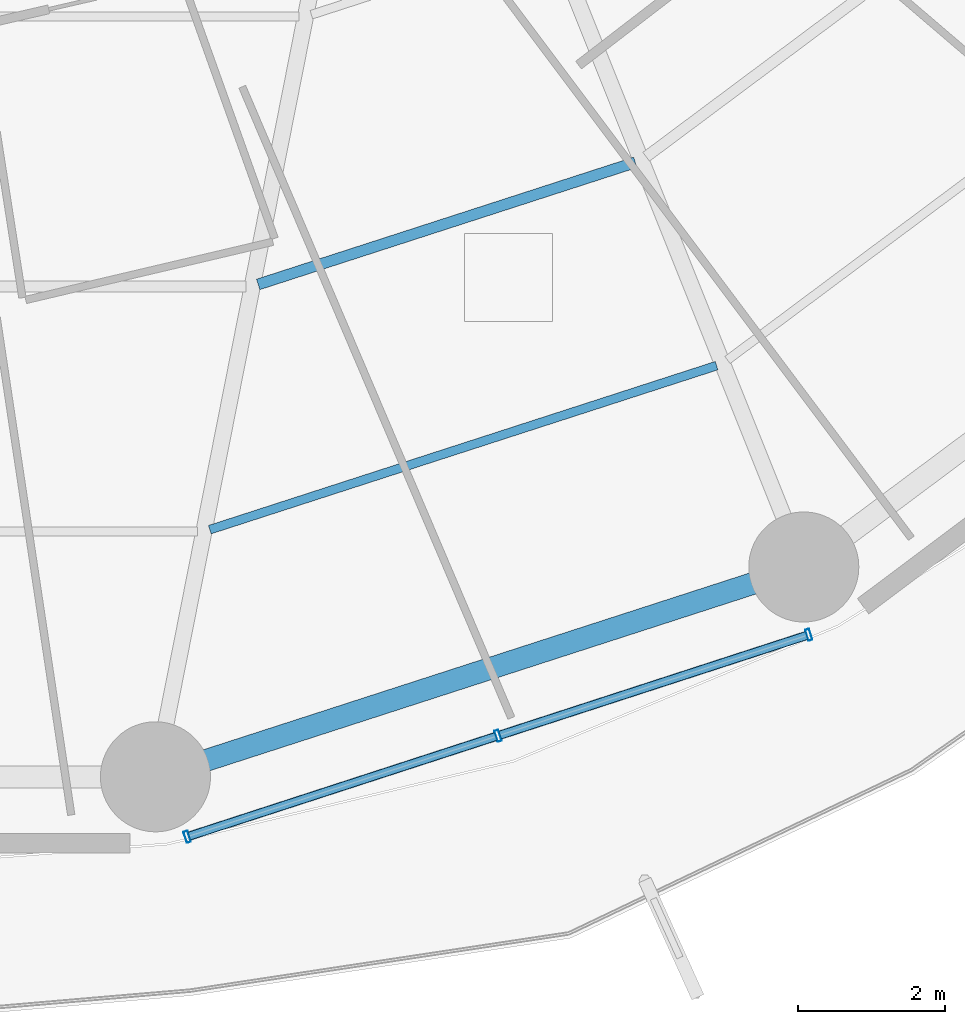
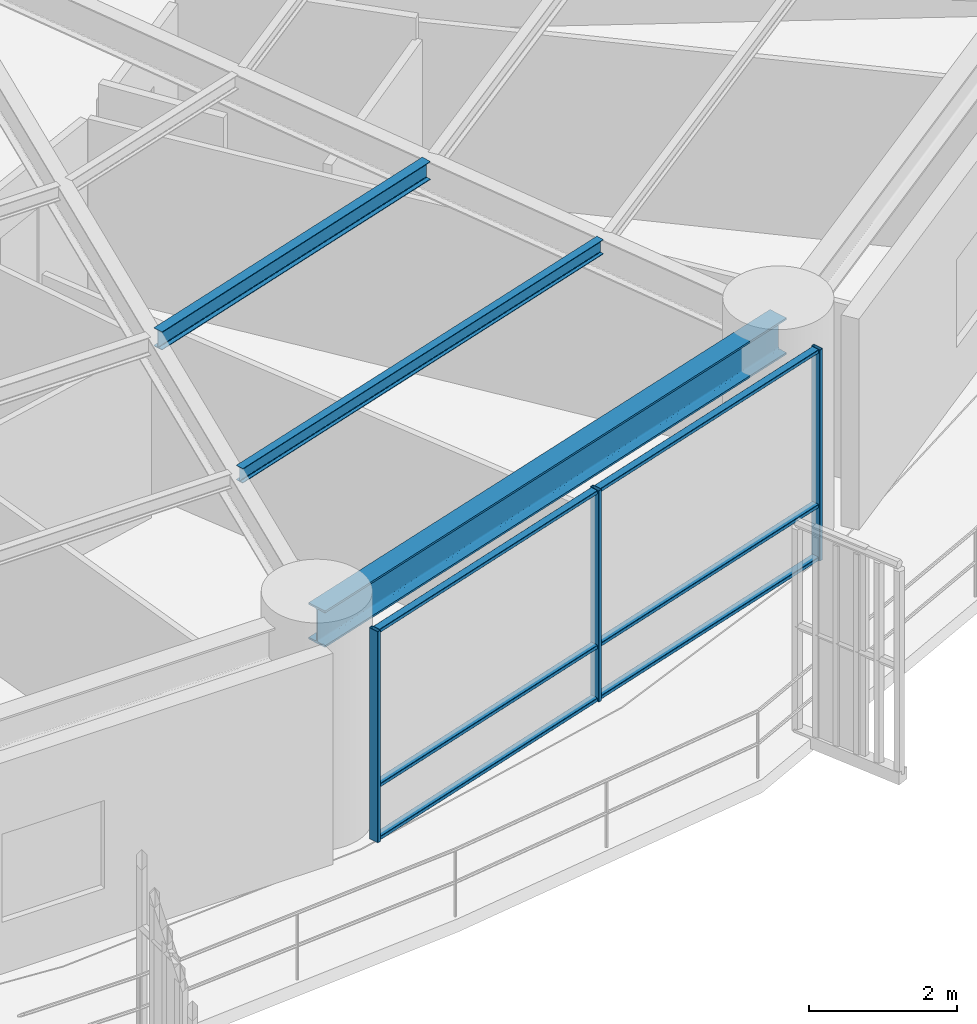
# One storey, part 8 of 32: 9 members, 3 beams, 1 element without a shape of its own.
"""IFC4 building model written with IfcOpenShell, lengths in metres."""

import ifcopenshell
import ifcopenshell.guid

model = None  # the IFC model being written
_history = None  # IfcOwnerHistory: only IFC2X3 demands one
_inside = {}  # id of a spatial element -> (the spatial element, [elements in it])
_under = {}  # id of a project, library or spatial element -> (it, [spatial elements below it])
_declared = {}  # id of a project -> (the project, [libraries it declares])
_typed = {}  # id of a type object -> (the type object, [elements of that type])
_made_of = {}  # id of a material, layer set ... -> (it, [elements and type objects made of it])


def new_model(schema):
    """Start an empty IFC model of exactly this schema.

    Asked for "IFC4X3", IfcOpenShell would pick the latest addendum, in which some entities
    have other attributes; the version numbers below select the first issue.
    IFC2X3 requires an IfcOwnerHistory on every rooted entity: one is made here for all.
    """
    global model, _history
    if schema == "IFC4X3":
        model = ifcopenshell.file(schema_version=(4, 3, 0, 0))
    else:
        model = ifcopenshell.file(schema=schema)
    _inside.clear()
    _under.clear()
    _declared.clear()
    _typed.clear()
    _made_of.clear()
    _history = None
    if model.schema == "IFC2X3":
        org = make("IfcOrganization", Name="unknown")
        user = make(
            "IfcPersonAndOrganization",
            ThePerson=make("IfcPerson", FamilyName="unknown"),
            TheOrganization=org,
        )
        app = make(
            "IfcApplication",
            ApplicationDeveloper=org,
            Version="unknown",
            ApplicationFullName="unknown",
            ApplicationIdentifier="unknown",
        )
        _history = make(
            "IfcOwnerHistory",
            OwningUser=user,
            OwningApplication=app,
            ChangeAction="ADDED",
            CreationDate=0,
        )
    return model


def make(cls, **values):
    """One entity of the class cls with the attributes given. An attribute that is None is left unset."""
    return model.create_entity(
        cls, **{name: value for name, value in values.items() if value is not None}
    )


def rooted(cls, **values):
    """An entity with a GlobalId (a new one), such as an element, a storey or a relation."""
    return make(cls, GlobalId=ifcopenshell.guid.new(), OwnerHistory=_history, **values)


def si_unit(unit_type, name, prefix=None):
    """IfcSIUnit, for example si_unit("LENGTHUNIT", "METRE", prefix="MILLI")."""
    return make("IfcSIUnit", UnitType=unit_type, Prefix=prefix, Name=name)


def assignment(units):
    """IfcUnitAssignment: the units of a project."""
    return None if units is None else make("IfcUnitAssignment", Units=units)


def point(xyz):
    """IfcCartesianPoint."""
    return None if xyz is None else make("IfcCartesianPoint", Coordinates=xyz)


def direction(xyz):
    """IfcDirection."""
    return None if xyz is None else make("IfcDirection", DirectionRatios=xyz)


def frame(location, z_axis=None, x_axis=None):
    """IfcAxis2Placement3D, a coordinate frame: its origin and axes. An axis left out is left unset."""
    return make(
        "IfcAxis2Placement3D",
        Location=point(location),
        Axis=direction(z_axis),
        RefDirection=direction(x_axis),
    )


def frame_2d(location, x_axis=None):
    """IfcAxis2Placement2D, a coordinate frame in the plane: its origin and x axis."""
    return make(
        "IfcAxis2Placement2D", Location=point(location), RefDirection=direction(x_axis)
    )


def origin():
    """The frame at (0, 0, 0) with its axes left unset."""
    return frame((0.0, 0.0, 0.0))


def origin_2d():
    """The frame at (0, 0) in the plane with its x axis left unset."""
    return frame_2d((0.0, 0.0))


def place(relative_to, where):
    """IfcLocalPlacement: puts the frame where relative to a parent placement (None: the world)."""
    return make(
        "IfcLocalPlacement", PlacementRelTo=relative_to, RelativePlacement=where
    )


def context(
    kind, dimensions, precision=None, world=None, true_north=None, identifier=None
):
    """IfcGeometricRepresentationContext, for example the 3D "Model" context."""
    return make(
        "IfcGeometricRepresentationContext",
        ContextIdentifier=identifier,
        ContextType=kind,
        CoordinateSpaceDimension=dimensions,
        Precision=precision,
        WorldCoordinateSystem=world,
        TrueNorth=true_north,
    )


def subcontext(parent, identifier, kind, view, scale=None):
    """IfcGeometricRepresentationSubContext, for example "Body" below "Model"."""
    return make(
        "IfcGeometricRepresentationSubContext",
        ContextIdentifier=identifier,
        ContextType=kind,
        ParentContext=parent,
        TargetScale=scale,
        TargetView=view,
    )


def project(units=None, contexts=None):
    """IfcProject with its units and contexts."""
    return rooted(
        "IfcProject",
        Name="project",
        RepresentationContexts=contexts,
        UnitsInContext=assignment(units),
    )


def spatial(cls, under=None, at=None, **own):
    """A site, building, storey or space (cls), placed at a placement, below another one or the project."""
    s = rooted(cls, ObjectPlacement=at, **own)
    if under is not None:
        _under.setdefault(under.id(), (under, []))[1].append(s)
    return s


def profile(cls, at=None, kind="AREA", **sizes):
    """A parametric profile (cls). Its sizes go by their IFC names, for example OverallWidth=200.0."""
    return make(cls, ProfileType=kind, Position=at, **sizes)


def hollow_rectangle(**sizes):
    """IfcRectangleHollowProfileDef."""
    return profile("IfcRectangleHollowProfileDef", **sizes)


def i_section(**sizes):
    """IfcIShapeProfileDef."""
    return profile("IfcIShapeProfileDef", **sizes)


def extrude(swept, where, along, depth):
    """IfcExtrudedAreaSolid: the profile swept, set in the frame where, extruded along a direction by depth."""
    return make(
        "IfcExtrudedAreaSolid",
        SweptArea=swept,
        Position=where,
        ExtrudedDirection=direction(along),
        Depth=depth,
    )


def shape(context_of_items, identifier, shape_type, items):
    """IfcShapeRepresentation: the items that make up one representation, for example the "Body"."""
    return make(
        "IfcShapeRepresentation",
        ContextOfItems=context_of_items,
        RepresentationIdentifier=identifier,
        RepresentationType=shape_type,
        Items=items,
    )


def material(Name=None, Category=None):
    """IfcMaterial."""
    return make("IfcMaterial", Name=Name, Category=Category)


def layer(
    of_material, thickness, ventilated=None, Name=None, Category=None, Priority=None
):
    """IfcMaterialLayer: one layer of a wall or slab, of a material (None: an air gap)."""
    return make(
        "IfcMaterialLayer",
        Material=of_material,
        LayerThickness=thickness,
        IsVentilated=ventilated,
        Name=Name,
        Category=Category,
        Priority=Priority,
    )


def layer_set(layers, Name=None):
    """IfcMaterialLayerSet."""
    return make("IfcMaterialLayerSet", MaterialLayers=layers, LayerSetName=Name)


def material_profile(
    of_material, cross_section, Name=None, Category=None, Priority=None
):
    """IfcMaterialProfile: a cross section and its material."""
    return make(
        "IfcMaterialProfile",
        Name=Name,
        Material=of_material,
        Profile=cross_section,
        Priority=Priority,
        Category=Category,
    )


def profile_set(profiles, Name=None, composite=None):
    """IfcMaterialProfileSet."""
    return make(
        "IfcMaterialProfileSet",
        Name=Name,
        MaterialProfiles=profiles,
        CompositeProfile=composite,
    )


def made_of(thing, what):
    """Note that an element or type object is made of a material, layer set ...; save() writes the relation."""
    if what is not None:
        _made_of.setdefault(what.id(), (what, []))[1].append(thing)
    return thing


def type_object(cls, material=None, **own):
    """A type object (cls), such as IfcWallType, which elements share."""
    return made_of(rooted(cls, **own), material)


def element(
    cls,
    number,
    at=None,
    inside=None,
    cuts=None,
    type_object=None,
    material=None,
    context=None,
    identifier="Body",
    shape_type=None,
    held_by="IfcProductDefinitionShape",
    body=None,
    shapes=None,
    **own,
):
    """One element of the class cls, such as IfcWall. Its Tag is "e" and its number.

    at: its placement. inside: the storey or other place that contains it. cuts: it is an
    opening in that element (IfcRelVoidsElement). A single representation is given by context,
    identifier, shape_type and body (its items); several are given by shapes. held_by: the class
    of the entity that holds the representations. save() writes the other relations.
    """
    e = rooted(cls, Tag="e%d" % number, ObjectPlacement=at, **own)
    if body is not None:
        shapes = [shape(context, identifier, shape_type, body)]
    if shapes is not None:
        e.Representation = make(held_by, Representations=shapes)
    if inside is not None:
        _inside.setdefault(inside.id(), (inside, []))[1].append(e)
    if cuts is not None:
        rooted(
            "IfcRelVoidsElement", RelatingBuildingElement=cuts, RelatedOpeningElement=e
        )
    if type_object is not None:
        _typed.setdefault(type_object.id(), (type_object, []))[1].append(e)
    return made_of(e, material)


def aggregate(whole, parts):
    """IfcRelAggregates: a whole, such as a stair, and the parts it consists of."""
    return rooted("IfcRelAggregates", RelatingObject=whole, RelatedObjects=parts)


def save(model, path):
    """Write the relations noted so far, then the file.

    IfcRelAggregates (storeys below a building ...), IfcRelContainedInSpatialStructure (elements
    in a storey), IfcRelDefinesByType, IfcRelAssociatesMaterial and IfcRelDeclares: one each for
    every whole, place, type object, material and project.
    """
    for whole, parts in _under.values():
        aggregate(whole, parts)
    for where, things in _inside.values():
        rooted(
            "IfcRelContainedInSpatialStructure",
            RelatedElements=things,
            RelatingStructure=where,
        )
    for kind, things in _typed.values():
        rooted("IfcRelDefinesByType", RelatedObjects=things, RelatingType=kind)
    for what, things in _made_of.values():
        rooted("IfcRelAssociatesMaterial", RelatedObjects=things, RelatingMaterial=what)
    for by, libraries in _declared.values():
        rooted("IfcRelDeclares", RelatingContext=by, RelatedDefinitions=libraries)
    model.write(path)


model = new_model("IFC4")

# Units and contexts
model_context = context("Model", 3, precision=1e-05, world=origin(), true_north=direction((0.0, 1.0)))
body_context = subcontext(model_context, "Body", "Model", "MODEL_VIEW")
ifc_project = project(units=[si_unit("LENGTHUNIT", "METRE"), si_unit("AREAUNIT", "SQUARE_METRE"), si_unit("VOLUMEUNIT", "CUBIC_METRE"), si_unit("PLANEANGLEUNIT", "RADIAN"), si_unit("MASSUNIT", "GRAM", prefix="KILO")], contexts=[model_context])

# Site, building, storey
site_placement = place(None, origin())
site = spatial("IfcSite", under=ifc_project, at=site_placement, CompositionType="ELEMENT")
building_placement = place(site_placement, origin())
building = spatial("IfcBuilding", under=site, at=building_placement, Name="Kelanora Arch Commons", CompositionType="ELEMENT")
storey_placement = place(building_placement, frame((0.0, 0.0, 56.25)))
storey = spatial("IfcBuildingStorey", under=building, at=storey_placement, Name="L14", CompositionType="ELEMENT", Elevation=56.25)

# Beams
ifc_material_1 = material(Name="Steel S355", Category="steel")
ifc_material_profile_1 = material_profile(ifc_material_1, i_section(OverallWidth=0.14990234375, OverallDepth=0.300048828125, WebThickness=0.007080078125, FlangeThickness=0.0107421875, FilletRadius=0.014892578125, at=origin_2d()), Name="IPE300")
ifc_profile_set_1 = profile_set([ifc_material_profile_1], Name="Steel S355")
beam_type_1 = type_object("IfcBeamType", Name="BM-JST-01", PredefinedType="JOIST", material=ifc_profile_set_1)
beam_1_placement = place(storey_placement, frame((80.102294921875, 40.997802734375, 3.340087890625), z_axis=(0.951412209627, 0.307920131482, 0.0), x_axis=(-0.307920131482, 0.951412209627, 0.0)))
element("IfcBeam", 1, at=beam_1_placement, inside=storey, type_object=beam_type_1, Name="Secondary Chord Joist BJB-28 L14", PredefinedType="JOIST", context=body_context, shape_type="SweptSolid", body=[
    extrude(i_section(OverallWidth=0.14990234375, OverallDepth=0.300048828125, WebThickness=0.007080078125, FlangeThickness=0.0107421875, FilletRadius=0.014892578125, at=origin_2d()), origin(), (0.0, 0.0, 1.0), 5.4033203125),
])
ifc_material_profile_2 = material_profile(ifc_material_1, i_section(OverallWidth=0.1201171875, OverallDepth=0.239990234375, WebThickness=0.006103515625, FlangeThickness=0.009765625, FilletRadius=0.014892578125, at=origin_2d()), Name="IPE240")
ifc_profile_set_2 = profile_set([ifc_material_profile_2], Name="Steel S355")
beam_type_2 = type_object("IfcBeamType", Name="BM-JST-02", PredefinedType="JOIST", material=ifc_profile_set_2)
beam_2_placement = place(storey_placement, frame((79.44287109375, 37.65478515625, 3.3701171875), z_axis=(0.951410915705, 0.307924129418, 0.0), x_axis=(-0.307924129418, 0.951410915705, 0.0)))
element("IfcBeam", 2, at=beam_2_placement, inside=storey, type_object=beam_type_2, Name="Secondary Chord Joist BJC-28 L14", PredefinedType="JOIST", context=body_context, shape_type="SweptSolid", body=[
    extrude(i_section(OverallWidth=0.1201171875, OverallDepth=0.239990234375, WebThickness=0.006103515625, FlangeThickness=0.009765625, FilletRadius=0.014892578125, at=origin_2d()), origin(), (0.0, 0.0, 1.0), 7.260986328125),
])
ifc_material_profile_3 = material_profile(ifc_material_1, i_section(OverallWidth=0.300048828125, OverallDepth=0.60009765625, WebThickness=0.015380859375, FlangeThickness=0.030029296875, FilletRadius=0.027099609375, at=origin_2d()), Name="HEB600")
ifc_profile_set_3 = profile_set([ifc_material_profile_3], Name="Steel S355")
beam_type_3 = type_object("IfcBeamType", Name="BM-SPN-Z1", PredefinedType="SPANDREL", material=ifc_profile_set_3)
beam_3_placement = place(storey_placement, frame((78.702392578125, 34.285888671875, 3.18994140625), z_axis=(0.951417120402, 0.307904957748, 0.0), x_axis=(-0.307904957748, 0.951417120402, 0.0)))
element("IfcBeam", 3, at=beam_3_placement, inside=storey, type_object=beam_type_3, Name="Perimeter Spandrel Beam BS-28 L14", PredefinedType="SPANDREL", context=body_context, shape_type="SweptSolid", body=[
    extrude(i_section(OverallWidth=0.300048828125, OverallDepth=0.60009765625, WebThickness=0.015380859375, FlangeThickness=0.030029296875, FilletRadius=0.027099609375, at=origin_2d()), origin(), (0.0, 0.0, 1.0), 9.288818359375),
])

# Curtain wall, members
ifc_material_2 = material(Name="Terracotta ceramic-fritted low-E glass and aluminium", Category="masonry")
ifc_layer = layer(ifc_material_2, 0.159912109375)
ifc_layer_set = layer_set([ifc_layer], Name="Terracotta ceramic-fritted low-E glass and aluminium")
curtain_wall_type = type_object("IfcCurtainWallType", Name="CW-SYS-01", PredefinedType="NOTDEFINED", material=ifc_layer_set)
curtain_wall_placement = place(storey_placement, origin())
curtain_wall = element("IfcCurtainWall", 4, at=curtain_wall_placement, inside=storey, type_object=curtain_wall_type, Name="Unitised Curtain Wall L14-B14", PredefinedType="NOTDEFINED")
ifc_material_3 = material(Name="Powder-coated aluminium terracotta", Category="masonry")
ifc_material_profile_4 = material_profile(ifc_material_3, hollow_rectangle(XDim=0.159912109375, YDim=0.06005859375, WallThickness=0.0048828125, InnerFilletRadius=0.0048828125, OuterFilletRadius=0.010009765625, at=origin_2d()), Name="CWM160x60")
ifc_profile_set_4 = profile_set([ifc_material_profile_4], Name="Powder-coated aluminium terracotta")
member_type_1 = type_object("IfcMemberType", Name="CWM-STD", PredefinedType="MULLION", material=ifc_profile_set_4)
member_1_placement = place(storey_placement, frame((79.134521484375, 33.46826171875, 0.0), z_axis=(0.0, 0.0, 1.0), x_axis=(-0.30905758454, 0.951043326793, 0.0)))
member_1 = element("IfcMember", 5, at=member_1_placement, type_object=member_type_1, Name="CW-01 mullion 1", PredefinedType="MULLION", context=body_context, shape_type="SweptSolid", body=[
    extrude(hollow_rectangle(XDim=0.159912109375, YDim=0.06005859375, WallThickness=0.0048828125, InnerFilletRadius=0.0048828125, OuterFilletRadius=0.010009765625, at=origin_2d()), origin(), (0.0, 0.0, 1.0), 3.47509765625),
])
member_2_placement = place(storey_placement, frame((83.37109375, 34.84521484375, 0.0), z_axis=(0.0, 0.0, 1.0), x_axis=(-0.30905758454, 0.951043326793, 0.0)))
member_2 = element("IfcMember", 6, at=member_2_placement, type_object=member_type_1, Name="CW-01 mullion 2", PredefinedType="MULLION", context=body_context, shape_type="SweptSolid", body=[
    extrude(hollow_rectangle(XDim=0.159912109375, YDim=0.06005859375, WallThickness=0.0048828125, InnerFilletRadius=0.0048828125, OuterFilletRadius=0.010009765625, at=origin_2d()), origin(), (0.0, 0.0, 1.0), 3.47509765625),
])
member_3_placement = place(storey_placement, frame((87.607666015625, 36.221923828125, 0.0), z_axis=(0.0, 0.0, 1.0), x_axis=(-0.30905758454, 0.951043326793, 0.0)))
member_3 = element("IfcMember", 7, at=member_3_placement, type_object=member_type_1, Name="CW-01 mullion 3", PredefinedType="MULLION", context=body_context, shape_type="SweptSolid", body=[
    extrude(hollow_rectangle(XDim=0.159912109375, YDim=0.06005859375, WallThickness=0.0048828125, InnerFilletRadius=0.0048828125, OuterFilletRadius=0.010009765625, at=origin_2d()), origin(), (0.0, 0.0, 1.0), 3.47509765625),
])
ifc_material_profile_5 = material_profile(ifc_material_3, hollow_rectangle(XDim=0.1201171875, YDim=0.06005859375, WallThickness=0.0048828125, InnerFilletRadius=0.0048828125, OuterFilletRadius=0.010009765625, at=origin_2d()), Name="CWT120x60")
ifc_profile_set_5 = profile_set([ifc_material_profile_5], Name="Powder-coated aluminium terracotta")
member_type_2 = type_object("IfcMemberType", Name="CWT-STD", PredefinedType="USERDEFINED", material=ifc_profile_set_5)
member_4_placement = place(storey_placement, frame((79.1630859375, 33.4775390625, 0.030029296875), z_axis=(0.951028761285, 0.309102402464, 0.0), x_axis=(-0.309102402464, 0.951028761285, 0.0)))
member_4 = element("IfcMember", 8, at=member_4_placement, type_object=member_type_2, Name="CW-01 transom 1.1", ObjectType="TRANSOM", PredefinedType="USERDEFINED", context=body_context, shape_type="SweptSolid", body=[
    extrude(hollow_rectangle(XDim=0.1201171875, YDim=0.06005859375, WallThickness=0.0048828125, InnerFilletRadius=0.0048828125, OuterFilletRadius=0.010009765625, at=origin_2d()), origin(), (0.0, 0.0, 1.0), 4.394775390625),
])
member_5_placement = place(storey_placement, frame((79.1630859375, 33.4775390625, 0.89990234375), z_axis=(0.951028761285, 0.309102402464, 0.0), x_axis=(-0.309102402464, 0.951028761285, 0.0)))
member_5 = element("IfcMember", 9, at=member_5_placement, type_object=member_type_2, Name="CW-01 transom 1.2", ObjectType="TRANSOM", PredefinedType="USERDEFINED", context=body_context, shape_type="SweptSolid", body=[
    extrude(hollow_rectangle(XDim=0.1201171875, YDim=0.06005859375, WallThickness=0.0048828125, InnerFilletRadius=0.0048828125, OuterFilletRadius=0.010009765625, at=origin_2d()), origin(), (0.0, 0.0, 1.0), 4.394775390625),
])
member_6_placement = place(storey_placement, frame((79.1630859375, 33.4775390625, 3.445068359375), z_axis=(0.951028761285, 0.309102402464, 0.0), x_axis=(-0.309102402464, 0.951028761285, 0.0)))
member_6 = element("IfcMember", 10, at=member_6_placement, type_object=member_type_2, Name="CW-01 transom 1.3", ObjectType="TRANSOM", PredefinedType="USERDEFINED", context=body_context, shape_type="SweptSolid", body=[
    extrude(hollow_rectangle(XDim=0.1201171875, YDim=0.06005859375, WallThickness=0.0048828125, InnerFilletRadius=0.0048828125, OuterFilletRadius=0.010009765625, at=origin_2d()), origin(), (0.0, 0.0, 1.0), 4.394775390625),
])
member_7_placement = place(storey_placement, frame((83.399658203125, 34.8544921875, 0.030029296875), z_axis=(0.951045091182, 0.309052155047, 0.0), x_axis=(-0.309052155047, 0.951045091182, 0.0)))
member_7 = element("IfcMember", 11, at=member_7_placement, type_object=member_type_2, Name="CW-01 transom 2.1", ObjectType="TRANSOM", PredefinedType="USERDEFINED", context=body_context, shape_type="SweptSolid", body=[
    extrude(hollow_rectangle(XDim=0.1201171875, YDim=0.06005859375, WallThickness=0.0048828125, InnerFilletRadius=0.0048828125, OuterFilletRadius=0.010009765625, at=origin_2d()), origin(), (0.0, 0.0, 1.0), 4.39453125),
])
member_8_placement = place(storey_placement, frame((83.399658203125, 34.8544921875, 0.89990234375), z_axis=(0.951045091182, 0.309052155047, 0.0), x_axis=(-0.309052155047, 0.951045091182, 0.0)))
member_8 = element("IfcMember", 12, at=member_8_placement, type_object=member_type_2, Name="CW-01 transom 2.2", ObjectType="TRANSOM", PredefinedType="USERDEFINED", context=body_context, shape_type="SweptSolid", body=[
    extrude(hollow_rectangle(XDim=0.1201171875, YDim=0.06005859375, WallThickness=0.0048828125, InnerFilletRadius=0.0048828125, OuterFilletRadius=0.010009765625, at=origin_2d()), origin(), (0.0, 0.0, 1.0), 4.39453125),
])
member_9_placement = place(storey_placement, frame((83.399658203125, 34.8544921875, 3.445068359375), z_axis=(0.951045091182, 0.309052155047, 0.0), x_axis=(-0.309052155047, 0.951045091182, 0.0)))
member_9 = element("IfcMember", 13, at=member_9_placement, type_object=member_type_2, Name="CW-01 transom 2.3", ObjectType="TRANSOM", PredefinedType="USERDEFINED", context=body_context, shape_type="SweptSolid", body=[
    extrude(hollow_rectangle(XDim=0.1201171875, YDim=0.06005859375, WallThickness=0.0048828125, InnerFilletRadius=0.0048828125, OuterFilletRadius=0.010009765625, at=origin_2d()), origin(), (0.0, 0.0, 1.0), 4.39453125),
])
aggregate(curtain_wall, [member_1, member_2, member_3, member_4, member_5, member_6, member_7, member_8, member_9])

save(model, "model.ifc")
